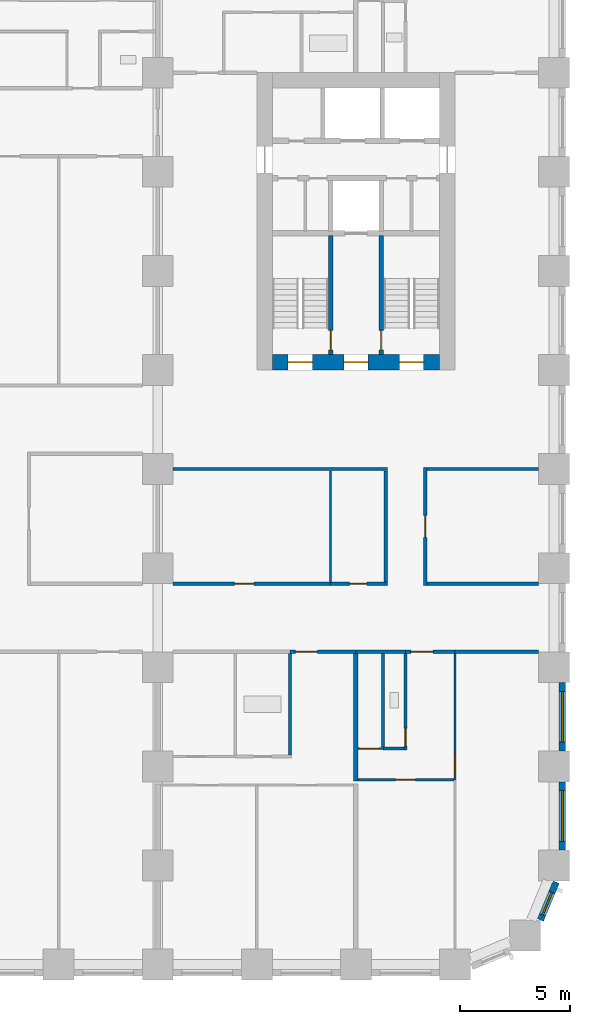
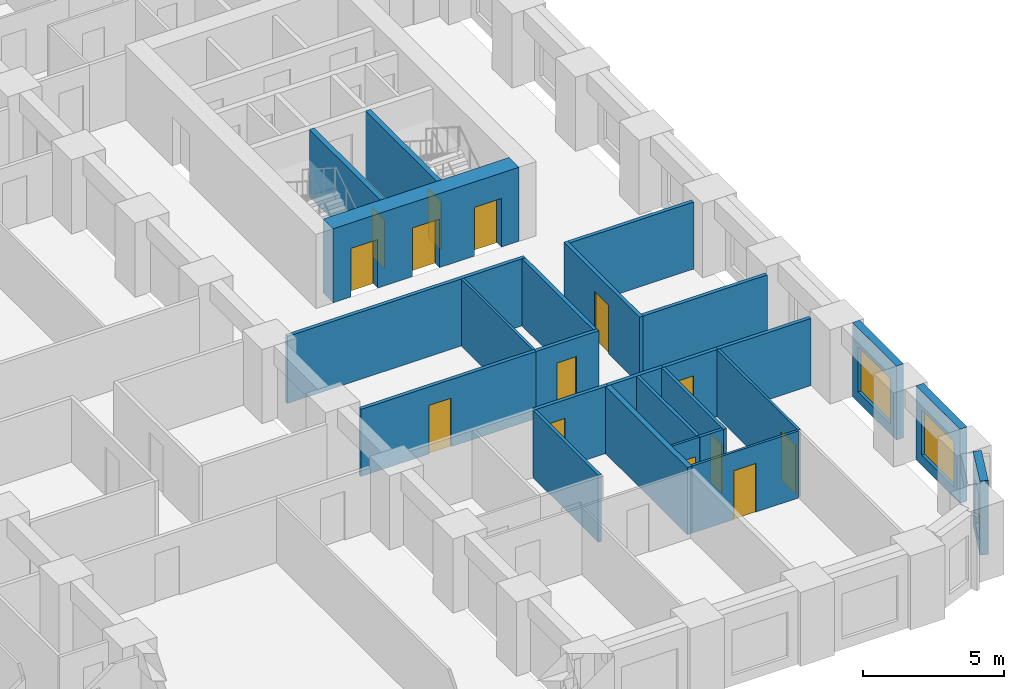
# One storey, part 5 of 13: 26 walls, 14 doors, 3 windows, 17 openings.
"""IFC4 building model written with IfcOpenShell, lengths in metres."""

from ifc_helpers import new_model, si_unit, direction, frame, frame_2d, origin, place, context, subcontext, project, spatial, rectangle, extrude, material, layer, layer_set, type_object, element, fill, save


model = new_model("IFC4")

# Units and contexts
model_context = context("Model", 3, precision=1e-05, world=origin(), true_north=direction((0.0, 1.0)))
body_context = subcontext(model_context, "Body", "Model", "MODEL_VIEW")
ifc_project = project(units=[si_unit("LENGTHUNIT", "METRE"), si_unit("AREAUNIT", "SQUARE_METRE"), si_unit("VOLUMEUNIT", "CUBIC_METRE"), si_unit("PLANEANGLEUNIT", "RADIAN"), si_unit("MASSUNIT", "GRAM", prefix="KILO")], contexts=[model_context])

# Site, building, storey
site_placement = place(None, origin())
site = spatial("IfcSite", under=ifc_project, at=site_placement, CompositionType="ELEMENT")
building_placement = place(site_placement, origin())
building = spatial("IfcBuilding", under=site, at=building_placement, Name="Girih Gate Residences", CompositionType="ELEMENT")
storey_placement = place(building_placement, frame((0.0, 0.0, 43.199951171875)))
storey = spatial("IfcBuildingStorey", under=building, at=storey_placement, Name="L10", CompositionType="ELEMENT", Elevation=43.199951171875)

# Wall, opening, door
ifc_material_1 = material(Name="Gypsum board on steel studs", Category="steel")
ifc_layer_1 = layer(ifc_material_1, 0.14990234375)
ifc_layer_set_1 = layer_set([ifc_layer_1], Name="Compartment wall 150 mm")
wall_type_1 = type_object("IfcWallType", Name="Compartment wall 150 mm", PredefinedType="PARTITIONING", material=ifc_layer_set_1)
wall_1_placement = place(storey_placement, frame((45.0, 14.199951171875, 0.0), z_axis=(0.0, 0.0, 1.0), x_axis=(-1.0, 0.0, 0.0)))
wall_1 = element("IfcWall", 1, at=wall_1_placement, inside=storey, type_object=wall_type_1, Name="L10 partition", PredefinedType="PARTITIONING", context=body_context, shape_type="SweptSolid", body=[
    extrude(rectangle(XDim=2.25, YDim=0.14990234375, at=frame_2d((1.125, 0.0))), origin(), (0.0, 0.0, 1.0), 2.900146484375),
])
opening_1_placement = place(wall_1_placement, frame((1.0, 0.0, 0.0)))
opening_1 = element("IfcOpeningElement", 2, at=opening_1_placement, cuts=wall_1, Name="Opening A10-022", PredefinedType="OPENING", context=body_context, shape_type="SweptSolid", body=[
    extrude(rectangle(XDim=1.0, YDim=2.10009765625, at=frame_2d((0.5, 1.050048828125))), frame((0.0, 0.0849609375, 0.0), z_axis=(0.0, -1.0, 0.0), x_axis=(1.0, 0.0, 0.0)), (0.0, 0.0, 1.0), 0.169921875),
])
ifc_material_2 = material(Name="Timber, fire-rated core", Category="wood")
door_type_1 = type_object("IfcDoorType", Name="Flat entrance door 1000x2100 FD30S", OperationType="NOTDEFINED", PredefinedType="DOOR", material=ifc_material_2)
door_1_placement = place(opening_1_placement, origin())
door_1 = element("IfcDoor", 3, at=door_1_placement, inside=storey, type_object=door_type_1, Name="Door A10-022", OperationType="SINGLE_SWING_RIGHT", OverallHeight=2.10009765625, OverallWidth=1.0, PredefinedType="DOOR", context=body_context, shape_type="SweptSolid", body=[
    extrude(rectangle(XDim=1.0, YDim=2.10009765625, at=frame_2d((0.5, 1.050048828125))), frame((0.0, 0.02490234375, 0.0), z_axis=(0.0, -1.0, 0.0), x_axis=(1.0, 0.0, 0.0)), (0.0, 0.0, 1.0), 0.050048828125),
])
fill(opening_1, door_1)

# Walls
wall_2_placement = place(storey_placement, frame((40.5, 14.199951171875, 0.0), z_axis=(0.0, 0.0, 1.0), x_axis=(1.0, 0.0, 0.0)))
element("IfcWall", 4, at=wall_2_placement, inside=storey, type_object=wall_type_1, Name="L10 partition", PredefinedType="PARTITIONING", context=body_context, shape_type="SweptSolid", body=[
    extrude(rectangle(XDim=2.25, YDim=0.14990234375, at=frame_2d((1.125, 0.0))), origin(), (0.0, 0.0, 1.0), 2.900146484375),
])
wall_3_placement = place(storey_placement, frame((45.0, 14.199951171875, 0.0), z_axis=(0.0, 0.0, 1.0), x_axis=(1.0, 0.0, 0.0)))
element("IfcWall", 5, at=wall_3_placement, inside=storey, type_object=wall_type_1, Name="L10 partition", PredefinedType="PARTITIONING", context=body_context, shape_type="SweptSolid", body=[
    extrude(rectangle(XDim=3.800048828125, YDim=0.14990234375, at=frame_2d((1.89990234375, 0.0))), origin(), (0.0, 0.0, 1.0), 2.900146484375),
])

# Wall, opening, door
wall_4_placement = place(storey_placement, frame((40.5, 14.199951171875, 0.0), z_axis=(0.0, 0.0, 1.0), x_axis=(-1.0, 0.0, 0.0)))
wall_4 = element("IfcWall", 6, at=wall_4_placement, inside=storey, type_object=wall_type_1, Name="L10 partition", PredefinedType="PARTITIONING", context=body_context, shape_type="SweptSolid", body=[
    extrude(rectangle(XDim=3.0, YDim=0.14990234375, at=frame_2d((1.5, 0.0))), origin(), (0.0, 0.0, 1.0), 2.900146484375),
])
opening_2_placement = place(wall_4_placement, frame((1.75, 0.0, 0.0)))
opening_2 = element("IfcOpeningElement", 7, at=opening_2_placement, cuts=wall_4, Name="Opening A10-027", PredefinedType="OPENING", context=body_context, shape_type="SweptSolid", body=[
    extrude(rectangle(XDim=1.0, YDim=2.10009765625, at=frame_2d((0.5, 1.050048828125))), frame((0.0, 0.0849609375, 0.0), z_axis=(0.0, -1.0, 0.0), x_axis=(1.0, 0.0, 0.0)), (0.0, 0.0, 1.0), 0.169921875),
])
door_2_placement = place(opening_2_placement, origin())
door_2 = element("IfcDoor", 8, at=door_2_placement, inside=storey, type_object=door_type_1, Name="Door A10-027", OperationType="SINGLE_SWING_RIGHT", OverallHeight=2.10009765625, OverallWidth=1.0, PredefinedType="DOOR", context=body_context, shape_type="SweptSolid", body=[
    extrude(rectangle(XDim=1.0, YDim=2.10009765625, at=frame_2d((0.5, 1.050048828125))), frame((0.0, 0.02490234375, 0.0), z_axis=(0.0, -1.0, 0.0), x_axis=(1.0, 0.0, 0.0)), (0.0, 0.0, 1.0), 0.050048828125),
])
fill(opening_2, door_2)

wall_5_placement = place(storey_placement, frame((32.199951171875, 17.300048828125, 0.0), z_axis=(0.0, 0.0, 1.0), x_axis=(1.0, 0.0, 0.0)))
wall_5 = element("IfcWall", 9, at=wall_5_placement, inside=storey, type_object=wall_type_1, Name="L10 partition", PredefinedType="PARTITIONING", context=body_context, shape_type="SweptSolid", body=[
    extrude(rectangle(XDim=7.150146484375, YDim=0.14990234375, at=frame_2d((3.5751953125, 0.0))), origin(), (0.0, 0.0, 1.0), 2.900146484375),
])
opening_3_placement = place(wall_5_placement, frame((2.77490234375, 0.0, 0.0)))
opening_3 = element("IfcOpeningElement", 10, at=opening_3_placement, cuts=wall_5, Name="Opening A10-053", PredefinedType="OPENING", context=body_context, shape_type="SweptSolid", body=[
    extrude(rectangle(XDim=0.89990234375, YDim=2.10009765625, at=frame_2d((0.449951171875, 1.050048828125))), frame((0.0, 0.0849609375, 0.0), z_axis=(0.0, -1.0, 0.0), x_axis=(1.0, 0.0, 0.0)), (0.0, 0.0, 1.0), 0.169921875),
])
ifc_material_3 = material(Name="Timber", Category="wood")
door_type_2 = type_object("IfcDoorType", Name="Service room door 900x2100", OperationType="NOTDEFINED", PredefinedType="DOOR", material=ifc_material_3)
door_3_placement = place(opening_3_placement, origin())
door_3 = element("IfcDoor", 11, at=door_3_placement, inside=storey, type_object=door_type_2, Name="Door A10-053", OperationType="SINGLE_SWING_LEFT", OverallHeight=2.10009765625, OverallWidth=0.89990234375, PredefinedType="DOOR", context=body_context, shape_type="SweptSolid", body=[
    extrude(rectangle(XDim=0.89990234375, YDim=2.10009765625, at=frame_2d((0.449951171875, 1.050048828125))), frame((0.0, 0.02490234375, 0.0), z_axis=(0.0, -1.0, 0.0), x_axis=(1.0, 0.0, 0.0)), (0.0, 0.0, 1.0), 0.050048828125),
])
fill(opening_3, door_3)

wall_6_placement = place(storey_placement, frame((39.35009765625, 17.300048828125, 0.0), z_axis=(0.0, 0.0, 1.0), x_axis=(1.0, 0.0, 0.0)))
wall_6 = element("IfcWall", 12, at=wall_6_placement, inside=storey, type_object=wall_type_1, Name="L10 partition", PredefinedType="PARTITIONING", context=body_context, shape_type="SweptSolid", body=[
    extrude(rectangle(XDim=2.574951171875, YDim=0.14990234375, at=frame_2d((1.28759765625, 0.0))), origin(), (0.0, 0.0, 1.0), 2.900146484375),
])
opening_4_placement = place(wall_6_placement, frame((0.85009765625, 0.0, 0.0)))
opening_4 = element("IfcOpeningElement", 13, at=opening_4_placement, cuts=wall_6, Name="Opening A10-055", PredefinedType="OPENING", context=body_context, shape_type="SweptSolid", body=[
    extrude(rectangle(XDim=0.800048828125, YDim=2.10009765625, at=frame_2d((0.39990234375, 1.050048828125))), frame((0.0, 0.0849609375, 0.0), z_axis=(0.0, -1.0, 0.0), x_axis=(1.0, 0.0, 0.0)), (0.0, 0.0, 1.0), 0.169921875),
])
door_type_3 = type_object("IfcDoorType", Name="Bathroom door 800x2100", OperationType="NOTDEFINED", PredefinedType="DOOR", material=ifc_material_3)
door_4_placement = place(opening_4_placement, origin())
door_4 = element("IfcDoor", 14, at=door_4_placement, inside=storey, type_object=door_type_3, Name="Door A10-055", OperationType="SINGLE_SWING_LEFT", OverallHeight=2.10009765625, OverallWidth=0.800048828125, PredefinedType="DOOR", context=body_context, shape_type="SweptSolid", body=[
    extrude(rectangle(XDim=0.800048828125, YDim=2.10009765625, at=frame_2d((0.39990234375, 1.050048828125))), frame((0.0, 0.02490234375, 0.0), z_axis=(0.0, -1.0, 0.0), x_axis=(1.0, 0.0, 0.0)), (0.0, 0.0, 1.0), 0.050048828125),
])
fill(opening_4, door_4)

# Walls
wall_7_placement = place(storey_placement, frame((43.72509765625, 17.300048828125, 0.0), z_axis=(0.0, 0.0, 1.0), x_axis=(1.0, 0.0, 0.0)))
element("IfcWall", 15, at=wall_7_placement, inside=storey, type_object=wall_type_1, Name="L10 partition", PredefinedType="PARTITIONING", context=body_context, shape_type="SweptSolid", body=[
    extrude(rectangle(XDim=5.074951171875, YDim=0.14990234375, at=frame_2d((2.53759765625, 0.0))), origin(), (0.0, 0.0, 1.0), 2.900146484375),
])
wall_8_placement = place(storey_placement, frame((32.199951171875, 22.5, 0.0), z_axis=(0.0, 0.0, 1.0), x_axis=(1.0, 0.0, 0.0)))
element("IfcWall", 16, at=wall_8_placement, inside=storey, type_object=wall_type_1, Name="L10 partition", PredefinedType="PARTITIONING", context=body_context, shape_type="SweptSolid", body=[
    extrude(rectangle(XDim=9.72509765625, YDim=0.14990234375, at=frame_2d((4.862548828125, 0.0))), origin(), (0.0, 0.0, 1.0), 2.900146484375),
])
wall_9_placement = place(storey_placement, frame((43.72509765625, 22.5, 0.0), z_axis=(0.0, 0.0, 1.0), x_axis=(1.0, 0.0, 0.0)))
element("IfcWall", 17, at=wall_9_placement, inside=storey, type_object=wall_type_1, Name="L10 partition", PredefinedType="PARTITIONING", context=body_context, shape_type="SweptSolid", body=[
    extrude(rectangle(XDim=5.074951171875, YDim=0.14990234375, at=frame_2d((2.53759765625, 0.0))), origin(), (0.0, 0.0, 1.0), 2.900146484375),
])
wall_10_placement = place(storey_placement, frame((41.85009765625, 17.375, 0.0), z_axis=(0.0, 0.0, 1.0), x_axis=(0.0, 1.0, 0.0)))
element("IfcWall", 18, at=wall_10_placement, inside=storey, type_object=wall_type_1, Name="L10 partition", PredefinedType="PARTITIONING", context=body_context, shape_type="SweptSolid", body=[
    extrude(rectangle(XDim=5.050048828125, YDim=0.14990234375, at=frame_2d((2.52490234375, 0.0))), origin(), (0.0, 0.0, 1.0), 2.900146484375),
])

# Wall, opening, door
wall_11_placement = place(storey_placement, frame((43.64990234375, 22.574951171875, 0.0), z_axis=(0.0, 0.0, 1.0), x_axis=(0.0, -1.0, 0.0)))
wall_11 = element("IfcWall", 19, at=wall_11_placement, inside=storey, type_object=wall_type_1, Name="L10 partition", PredefinedType="PARTITIONING", context=body_context, shape_type="SweptSolid", body=[
    extrude(rectangle(XDim=5.349853515625, YDim=0.14990234375, at=frame_2d((2.6748046875, 0.0))), origin(), (0.0, 0.0, 1.0), 2.900146484375),
])
opening_5_placement = place(wall_11_placement, frame((2.175048828125, 0.0, 0.0)))
opening_5 = element("IfcOpeningElement", 20, at=opening_5_placement, cuts=wall_11, Name="Opening A10-057", PredefinedType="OPENING", context=body_context, shape_type="SweptSolid", body=[
    extrude(rectangle(XDim=1.0, YDim=2.10009765625, at=frame_2d((0.5, 1.050048828125))), frame((0.0, 0.0849609375, 0.0), z_axis=(0.0, -1.0, 0.0), x_axis=(1.0, 0.0, 0.0)), (0.0, 0.0, 1.0), 0.169921875),
])
door_type_4 = type_object("IfcDoorType", Name="Amenity room door 1000x2100 FD30S", OperationType="NOTDEFINED", PredefinedType="DOOR", material=ifc_material_2)
door_5_placement = place(opening_5_placement, origin())
door_5 = element("IfcDoor", 21, at=door_5_placement, inside=storey, type_object=door_type_4, Name="Door A10-057", OperationType="SINGLE_SWING_RIGHT", OverallHeight=2.10009765625, OverallWidth=1.0, PredefinedType="DOOR", context=body_context, shape_type="SweptSolid", body=[
    extrude(rectangle(XDim=1.0, YDim=2.10009765625, at=frame_2d((0.5, 1.050048828125))), frame((0.0, 0.02490234375, 0.0), z_axis=(0.0, -1.0, 0.0), x_axis=(1.0, 0.0, 0.0)), (0.0, 0.0, 1.0), 0.050048828125),
])
fill(opening_5, door_5)

# Wall, openings, doors
ifc_material_4 = material(Name="Concrete C60/75", Category="concrete")
ifc_layer_2 = layer(ifc_material_4, 0.699951171875)
ifc_layer_set_2 = layer_set([ifc_layer_2], Name="Core wall RC 700 Concrete C60/75")
wall_type_2 = type_object("IfcWallType", Name="Core wall RC 700 Concrete C60/75", PredefinedType="SOLIDWALL", material=ifc_layer_set_2)
wall_12_placement = place(storey_placement, frame((36.699951171875, 27.35009765625, 0.0), z_axis=(0.0, 0.0, 1.0), x_axis=(1.0, 0.0, 0.0)))
wall_12 = element("IfcWall", 22, at=wall_12_placement, inside=storey, type_object=wall_type_2, Name="Core wall E-S L10", PredefinedType="SOLIDWALL", context=body_context, shape_type="SweptSolid", body=[
    extrude(rectangle(XDim=7.60009765625, YDim=0.699951171875, at=frame_2d((3.800048828125, 0.0))), origin(), (0.0, 0.0, 1.0), 3.199951171875),
])
opening_6_placement = place(wall_12_placement, frame((5.77490234375, 0.0, 0.0)))
opening_6 = element("IfcOpeningElement", 23, at=opening_6_placement, cuts=wall_12, Name="Opening D-L10-E-011", PredefinedType="OPENING", context=body_context, shape_type="SweptSolid", body=[
    extrude(rectangle(XDim=1.10009765625, YDim=2.10009765625, at=frame_2d((0.550048828125, 1.050048828125))), frame((0.0, 0.35986328125, 0.0), z_axis=(0.0, -1.0, 0.0), x_axis=(1.0, 0.0, 0.0)), (0.0, 0.0, 1.0), 0.719970703125),
])
opening_7_placement = place(wall_12_placement, frame((3.25, 0.0, 0.0)))
opening_7 = element("IfcOpeningElement", 24, at=opening_7_placement, cuts=wall_12, Name="Opening D-L10-E-012", PredefinedType="OPENING", context=body_context, shape_type="SweptSolid", body=[
    extrude(rectangle(XDim=1.10009765625, YDim=2.10009765625, at=frame_2d((0.550048828125, 1.050048828125))), frame((0.0, 0.35986328125, 0.0), z_axis=(0.0, -1.0, 0.0), x_axis=(1.0, 0.0, 0.0)), (0.0, 0.0, 1.0), 0.719970703125),
])
opening_8_placement = place(wall_12_placement, frame((0.72509765625, 0.0, 0.0)))
opening_8 = element("IfcOpeningElement", 25, at=opening_8_placement, cuts=wall_12, Name="Opening D-L10-E-013", PredefinedType="OPENING", context=body_context, shape_type="SweptSolid", body=[
    extrude(rectangle(XDim=1.10009765625, YDim=2.10009765625, at=frame_2d((0.550048828125, 1.050048828125))), frame((0.0, 0.35986328125, 0.0), z_axis=(0.0, -1.0, 0.0), x_axis=(1.0, 0.0, 0.0)), (0.0, 0.0, 1.0), 0.719970703125),
])
ifc_material_5 = material(Name="Painted steel, fire-resisting", Category="steel")
door_type_5 = type_object("IfcDoorType", Name="Fire door 1100x2100", OperationType="SINGLE_SWING_LEFT", PredefinedType="DOOR", material=ifc_material_5)
door_6_placement = place(opening_6_placement, origin())
door_6 = element("IfcDoor", 26, at=door_6_placement, inside=storey, type_object=door_type_5, Name="L10 E core door sta-out", OperationType="SINGLE_SWING_LEFT", OverallHeight=2.10009765625, OverallWidth=1.10009765625, PredefinedType="DOOR", context=body_context, shape_type="SweptSolid", body=[
    extrude(rectangle(XDim=1.10009765625, YDim=2.10009765625, at=frame_2d((0.550048828125, 1.050048828125))), frame((0.0, 0.02490234375, 0.0), z_axis=(0.0, -1.0, 0.0), x_axis=(1.0, 0.0, 0.0)), (0.0, 0.0, 1.0), 0.050048828125),
])
fill(opening_6, door_6)
door_7_placement = place(opening_7_placement, origin())
door_7 = element("IfcDoor", 27, at=door_7_placement, inside=storey, type_object=door_type_5, Name="L10 E core door ffl-out", OperationType="SINGLE_SWING_LEFT", OverallHeight=2.10009765625, OverallWidth=1.10009765625, PredefinedType="DOOR", context=body_context, shape_type="SweptSolid", body=[
    extrude(rectangle(XDim=1.10009765625, YDim=2.10009765625, at=frame_2d((0.550048828125, 1.050048828125))), frame((0.0, 0.02490234375, 0.0), z_axis=(0.0, -1.0, 0.0), x_axis=(1.0, 0.0, 0.0)), (0.0, 0.0, 1.0), 0.050048828125),
])
fill(opening_7, door_7)
door_8_placement = place(opening_8_placement, origin())
door_8 = element("IfcDoor", 28, at=door_8_placement, inside=storey, type_object=door_type_5, Name="L10 E core door stb-out", OperationType="SINGLE_SWING_LEFT", OverallHeight=2.10009765625, OverallWidth=1.10009765625, PredefinedType="DOOR", context=body_context, shape_type="SweptSolid", body=[
    extrude(rectangle(XDim=1.10009765625, YDim=2.10009765625, at=frame_2d((0.550048828125, 1.050048828125))), frame((0.0, 0.02490234375, 0.0), z_axis=(0.0, -1.0, 0.0), x_axis=(1.0, 0.0, 0.0)), (0.0, 0.0, 1.0), 0.050048828125),
])
fill(opening_8, door_8)

# Wall, opening, door
ifc_layer_3 = layer(ifc_material_1, 0.10009765625)
ifc_layer_set_3 = layer_set([ifc_layer_3], Name="Partition 100 mm")
wall_type_3 = type_object("IfcWallType", Name="Partition 100 mm", PredefinedType="PARTITIONING", material=ifc_layer_set_3)
wall_13_placement = place(storey_placement, frame((44.949951171875, 8.389892578125, 0.0), z_axis=(0.0, 0.0, 1.0), x_axis=(-1.0, 0.0, 0.0)))
wall_13 = element("IfcWall", 29, at=wall_13_placement, inside=storey, type_object=wall_type_3, Name="L10 partition", PredefinedType="PARTITIONING", context=body_context, shape_type="SweptSolid", body=[
    extrude(rectangle(XDim=4.349853515625, YDim=0.10009765625, at=frame_2d((2.1748046875, 0.0))), origin(), (0.0, 0.0, 1.0), 2.900146484375),
])
opening_9_placement = place(wall_13_placement, frame((1.75, 0.0, 0.0)))
opening_9 = element("IfcOpeningElement", 30, at=opening_9_placement, cuts=wall_13, Name="Opening A10-019", PredefinedType="OPENING", context=body_context, shape_type="SweptSolid", body=[
    extrude(rectangle(XDim=0.89990234375, YDim=2.10009765625, at=frame_2d((0.449951171875, 1.050048828125))), frame((0.0, 0.06005859375, 0.0), z_axis=(0.0, -1.0, 0.0), x_axis=(1.0, 0.0, 0.0)), (0.0, 0.0, 1.0), 0.1201171875),
])
door_type_6 = type_object("IfcDoorType", Name="Bedroom door 900x2100", OperationType="NOTDEFINED", PredefinedType="DOOR", material=ifc_material_3)
door_9_placement = place(opening_9_placement, origin())
door_9 = element("IfcDoor", 31, at=door_9_placement, inside=storey, type_object=door_type_6, Name="Door A10-019", OperationType="SINGLE_SWING_RIGHT", OverallHeight=2.10009765625, OverallWidth=0.89990234375, PredefinedType="DOOR", context=body_context, shape_type="SweptSolid", body=[
    extrude(rectangle(XDim=0.89990234375, YDim=2.10009765625, at=frame_2d((0.449951171875, 1.050048828125))), frame((0.0, 0.02490234375, 0.0), z_axis=(0.0, -1.0, 0.0), x_axis=(1.0, 0.0, 0.0)), (0.0, 0.0, 1.0), 0.050048828125),
])
fill(opening_9, door_9)

wall_14_placement = place(storey_placement, frame((40.60009765625, 9.81005859375, 0.0), z_axis=(0.0, 0.0, 1.0), x_axis=(1.0, 0.0, 0.0)))
wall_14 = element("IfcWall", 32, at=wall_14_placement, inside=storey, type_object=wall_type_3, Name="L10 partition", PredefinedType="PARTITIONING", context=body_context, shape_type="SweptSolid", body=[
    extrude(rectangle(XDim=1.127197265625, YDim=0.10009765625, at=frame_2d((0.5634765625, 0.0))), origin(), (0.0, 0.0, 1.0), 2.900146484375),
])
opening_10_placement = place(wall_14_placement, frame((0.063720703125, 0.0, 0.0)))
opening_10 = element("IfcOpeningElement", 33, at=opening_10_placement, cuts=wall_14, Name="Opening A10-020", PredefinedType="OPENING", context=body_context, shape_type="SweptSolid", body=[
    extrude(rectangle(XDim=0.89990234375, YDim=2.10009765625, at=frame_2d((0.449951171875, 1.050048828125))), frame((0.0, 0.06005859375, 0.0), z_axis=(0.0, -1.0, 0.0), x_axis=(1.0, 0.0, 0.0)), (0.0, 0.0, 1.0), 0.1201171875),
])
door_type_7 = type_object("IfcDoorType", Name="Kitchen door 900x2100", OperationType="NOTDEFINED", PredefinedType="DOOR", material=ifc_material_3)
door_10_placement = place(opening_10_placement, origin())
door_10 = element("IfcDoor", 34, at=door_10_placement, inside=storey, type_object=door_type_7, Name="Door A10-020", OperationType="SINGLE_SWING_LEFT", OverallHeight=2.10009765625, OverallWidth=0.89990234375, PredefinedType="DOOR", context=body_context, shape_type="SweptSolid", body=[
    extrude(rectangle(XDim=0.89990234375, YDim=2.10009765625, at=frame_2d((0.449951171875, 1.050048828125))), frame((0.0, 0.02490234375, 0.0), z_axis=(0.0, -1.0, 0.0), x_axis=(1.0, 0.0, 0.0)), (0.0, 0.0, 1.0), 0.050048828125),
])
fill(opening_10, door_10)

wall_15_placement = place(storey_placement, frame((45.0, 14.125, 0.0), z_axis=(0.0, 0.0, 1.0), x_axis=(0.0, -1.0, 0.0)))
wall_15 = element("IfcWall", 35, at=wall_15_placement, inside=storey, type_object=wall_type_3, Name="L10 partition", PredefinedType="PARTITIONING", context=body_context, shape_type="SweptSolid", body=[
    extrude(rectangle(XDim=5.735107421875, YDim=0.10009765625, at=frame_2d((2.86767578125, 0.0))), origin(), (0.0, 0.0, 1.0), 2.900146484375),
])
opening_11_placement = place(wall_15_placement, frame((4.52490234375, 0.0, 0.0)))
opening_11 = element("IfcOpeningElement", 36, at=opening_11_placement, cuts=wall_15, Name="Opening A10-021", PredefinedType="OPENING", context=body_context, shape_type="SweptSolid", body=[
    extrude(rectangle(XDim=1.0, YDim=2.10009765625, at=frame_2d((0.5, 1.050048828125))), frame((0.0, 0.06005859375, 0.0), z_axis=(0.0, -1.0, 0.0), x_axis=(1.0, 0.0, 0.0)), (0.0, 0.0, 1.0), 0.1201171875),
])
door_type_8 = type_object("IfcDoorType", Name="Living room door 1000x2100", OperationType="NOTDEFINED", PredefinedType="DOOR", material=ifc_material_3)
door_11_placement = place(opening_11_placement, origin())
door_11 = element("IfcDoor", 37, at=door_11_placement, inside=storey, type_object=door_type_8, Name="Door A10-021", OperationType="SINGLE_SWING_RIGHT", OverallHeight=2.10009765625, OverallWidth=1.0, PredefinedType="DOOR", context=body_context, shape_type="SweptSolid", body=[
    extrude(rectangle(XDim=1.0, YDim=2.10009765625, at=frame_2d((0.5, 1.050048828125))), frame((0.0, 0.02490234375, 0.0), z_axis=(0.0, -1.0, 0.0), x_axis=(1.0, 0.0, 0.0)), (0.0, 0.0, 1.0), 0.050048828125),
])
fill(opening_11, door_11)

# Walls
wall_16_placement = place(storey_placement, frame((39.35009765625, 17.375, 0.0), z_axis=(0.0, 0.0, 1.0), x_axis=(0.0, 1.0, 0.0)))
element("IfcWall", 38, at=wall_16_placement, inside=storey, type_object=wall_type_3, Name="L10 partition", PredefinedType="PARTITIONING", context=body_context, shape_type="SweptSolid", body=[
    extrude(rectangle(XDim=5.050048828125, YDim=0.10009765625, at=frame_2d((2.52490234375, 0.0))), origin(), (0.0, 0.0, 1.0), 2.900146484375),
])
ifc_layer_4 = layer(ifc_material_1, 0.199951171875)
ifc_layer_set_4 = layer_set([ifc_layer_4], Name="Party wall 200 mm")
wall_type_4 = type_object("IfcWallType", Name="Party wall 200 mm", PredefinedType="PARTITIONING", material=ifc_layer_set_4)
wall_17_placement = place(storey_placement, frame((40.5, 8.340087890625, 0.0), z_axis=(0.0, 0.0, 1.0), x_axis=(0.0, 1.0, 0.0)))
element("IfcWall", 39, at=wall_17_placement, inside=storey, type_object=wall_type_4, Name="L10 partition", PredefinedType="PARTITIONING", context=body_context, shape_type="SweptSolid", body=[
    extrude(rectangle(XDim=5.784912109375, YDim=0.199951171875, at=frame_2d((2.892578125, 0.0))), origin(), (0.0, 0.0, 1.0), 2.900146484375),
])

# Wall, opening, window
ifc_material_6 = material(Name="Precast concrete C50/60", Category="concrete")
ifc_layer_5 = layer(ifc_material_6, 0.080078125, Name="Outer leaf")
ifc_material_7 = material(Name="Rigid PIR insulation")
ifc_layer_6 = layer(ifc_material_7, 0.14990234375, Name="Insulation")
ifc_material_8 = material(Name="Precast concrete C40/50", Category="concrete")
ifc_layer_7 = layer(ifc_material_8, 0.070068359375, Name="Inner leaf")
ifc_layer_set_5 = layer_set([ifc_layer_5, ifc_layer_6, ifc_layer_7], Name="Precast concrete C50/60 external wall 300")
wall_type_5 = type_object("IfcWallType", Name="Precast concrete C50/60 external wall 300", PredefinedType="SOLIDWALL", material=ifc_layer_set_5)
wall_18_placement = place(storey_placement, frame((49.59228515625, 3.74267578125, 0.0), z_axis=(0.0, 0.0, 1.0), x_axis=(-0.382737135771, -0.923857286003, 0.0)))
wall_18 = element("IfcWall", 40, at=wall_18_placement, inside=storey, type_object=wall_type_5, Name="External wall SE0482_0013.0", PredefinedType="SOLIDWALL", context=body_context, shape_type="SweptSolid", body=[
    extrude(rectangle(XDim=1.865234375, YDim=0.300048828125, at=frame_2d((0.9326171875, 0.0))), origin(), (0.0, 0.0, 1.0), 3.199951171875),
])
opening_12_placement = place(wall_18_placement, frame((0.507568359375, 0.0, 0.449951171875)))
opening_12 = element("IfcOpeningElement", 41, at=opening_12_placement, cuts=wall_18, Name="Opening W-2C", PredefinedType="OPENING", context=body_context, shape_type="SweptSolid", body=[
    extrude(rectangle(XDim=1.10009765625, YDim=1.949951171875, at=frame_2d((0.550048828125, 0.97509765625))), frame((0.0, 0.159912109375, 0.0), z_axis=(0.0, -1.0, 0.0), x_axis=(1.0, 0.0, 0.0)), (0.0, 0.0, 1.0), 0.320068359375),
])
ifc_material_9 = material(Name="Double glazing in aluminium frame", Category="aluminium")
window_type_1 = type_object("IfcWindowType", Name="Window W-2C 1100x1950", PartitioningType="SINGLE_PANEL", PredefinedType="WINDOW", material=ifc_material_9)
window_1_placement = place(opening_12_placement, origin())
window_1 = element("IfcWindow", 42, at=window_1_placement, inside=storey, type_object=window_type_1, Name="Window W-2C SE0482_0013.0", OverallHeight=1.949951171875, OverallWidth=1.10009765625, PartitioningType="SINGLE_PANEL", PredefinedType="WINDOW", context=body_context, shape_type="SweptSolid", body=[
    extrude(rectangle(XDim=1.10009765625, YDim=1.949951171875, at=frame_2d((0.550048828125, 0.97509765625))), frame((0.0, 0.030029296875, 0.0), z_axis=(0.0, -1.0, 0.0), x_axis=(1.0, 0.0, 0.0)), (0.0, 0.0, 1.0), 0.06005859375),
])
fill(opening_12, window_1)

wall_19_placement = place(storey_placement, frame((49.875, 8.300048828125, 0.0), z_axis=(0.0, 0.0, 1.0), x_axis=(0.0, -1.0, 0.0)))
wall_19 = element("IfcWall", 43, at=wall_19_placement, inside=storey, type_object=wall_type_5, Name="External wall E0495_0045.0", PredefinedType="SOLIDWALL", context=body_context, shape_type="SweptSolid", body=[
    extrude(rectangle(XDim=3.10009765625, YDim=0.300048828125, at=frame_2d((1.550048828125, 0.0))), origin(), (0.0, 0.0, 1.0), 3.199951171875),
])
opening_13_placement = place(wall_19_placement, frame((0.39990234375, 0.0, 0.449951171875)))
opening_13 = element("IfcOpeningElement", 44, at=opening_13_placement, cuts=wall_19, Name="Opening W-1", PredefinedType="OPENING", context=body_context, shape_type="SweptSolid", body=[
    extrude(rectangle(XDim=2.300048828125, YDim=1.949951171875, at=frame_2d((1.14990234375, 0.97509765625))), frame((0.0, 0.159912109375, 0.0), z_axis=(0.0, -1.0, 0.0), x_axis=(1.0, 0.0, 0.0)), (0.0, 0.0, 1.0), 0.320068359375),
])
window_type_2 = type_object("IfcWindowType", Name="Window W-1 2300x1950", PartitioningType="SINGLE_PANEL", PredefinedType="WINDOW", material=ifc_material_9)
window_2_placement = place(opening_13_placement, origin())
window_2 = element("IfcWindow", 45, at=window_2_placement, inside=storey, type_object=window_type_2, Name="Window W-1 E0495_0045.0", OverallHeight=1.949951171875, OverallWidth=2.300048828125, PartitioningType="SINGLE_PANEL", PredefinedType="WINDOW", context=body_context, shape_type="SweptSolid", body=[
    extrude(rectangle(XDim=2.300048828125, YDim=1.949951171875, at=frame_2d((1.14990234375, 0.97509765625))), frame((0.0, 0.030029296875, 0.0), z_axis=(0.0, -1.0, 0.0), x_axis=(1.0, 0.0, 0.0)), (0.0, 0.0, 1.0), 0.06005859375),
])
fill(opening_13, window_2)

wall_20_placement = place(storey_placement, frame((49.875, 12.800048828125, 0.0), z_axis=(0.0, 0.0, 1.0), x_axis=(0.0, -1.0, 0.0)))
wall_20 = element("IfcWall", 46, at=wall_20_placement, inside=storey, type_object=wall_type_5, Name="External wall E0495_0045.1", PredefinedType="SOLIDWALL", context=body_context, shape_type="SweptSolid", body=[
    extrude(rectangle(XDim=3.10009765625, YDim=0.300048828125, at=frame_2d((1.550048828125, 0.0))), origin(), (0.0, 0.0, 1.0), 3.199951171875),
])
opening_14_placement = place(wall_20_placement, frame((0.39990234375, 0.0, 0.449951171875)))
opening_14 = element("IfcOpeningElement", 47, at=opening_14_placement, cuts=wall_20, Name="Opening W-1", PredefinedType="OPENING", context=body_context, shape_type="SweptSolid", body=[
    extrude(rectangle(XDim=2.300048828125, YDim=1.949951171875, at=frame_2d((1.14990234375, 0.97509765625))), frame((0.0, 0.159912109375, 0.0), z_axis=(0.0, -1.0, 0.0), x_axis=(1.0, 0.0, 0.0)), (0.0, 0.0, 1.0), 0.320068359375),
])
window_3_placement = place(opening_14_placement, origin())
window_3 = element("IfcWindow", 48, at=window_3_placement, inside=storey, type_object=window_type_2, Name="Window W-1 E0495_0045.1", OverallHeight=1.949951171875, OverallWidth=2.300048828125, PartitioningType="SINGLE_PANEL", PredefinedType="WINDOW", context=body_context, shape_type="SweptSolid", body=[
    extrude(rectangle(XDim=2.300048828125, YDim=1.949951171875, at=frame_2d((1.14990234375, 0.97509765625))), frame((0.0, 0.030029296875, 0.0), z_axis=(0.0, -1.0, 0.0), x_axis=(1.0, 0.0, 0.0)), (0.0, 0.0, 1.0), 0.06005859375),
])
fill(opening_14, window_3)

# Wall, opening, door
ifc_material_10 = material(Name="Concrete C40/50", Category="concrete")
ifc_layer_8 = layer(ifc_material_10, 0.199951171875)
ifc_layer_set_6 = layer_set([ifc_layer_8], Name="Shaft wall 200")
wall_type_6 = type_object("IfcWallType", Name="Shaft wall 200", PredefinedType="SOLIDWALL", material=ifc_layer_set_6)
wall_21_placement = place(storey_placement, frame((41.64990234375, 27.699951171875, 0.0), z_axis=(0.0, 0.0, 1.0), x_axis=(0.0, 1.0, 0.0)))
wall_21 = element("IfcWall", 49, at=wall_21_placement, inside=storey, type_object=wall_type_6, Name="L10 E core wall V1a", PredefinedType="SOLIDWALL", context=body_context, shape_type="SweptSolid", body=[
    extrude(rectangle(XDim=5.400146484375, YDim=0.199951171875, at=frame_2d((2.7001953125, 0.0))), origin(), (0.0, 0.0, 1.0), 2.900146484375),
])
opening_15_placement = place(wall_21_placement, frame((0.199951171875, 0.0, 0.0)))
opening_15 = element("IfcOpeningElement", 50, at=opening_15_placement, cuts=wall_21, Name="Opening D-L10-E-001", PredefinedType="OPENING", context=body_context, shape_type="SweptSolid", body=[
    extrude(rectangle(XDim=0.89990234375, YDim=2.10009765625, at=frame_2d((0.449951171875, 1.050048828125))), frame((0.0, 0.10986328125, 0.0), z_axis=(0.0, -1.0, 0.0), x_axis=(1.0, 0.0, 0.0)), (0.0, 0.0, 1.0), 0.219970703125),
])
door_type_9 = type_object("IfcDoorType", Name="Fire door 900x2100", OperationType="SINGLE_SWING_LEFT", PredefinedType="DOOR", material=ifc_material_5)
door_12_placement = place(opening_15_placement, origin())
door_12 = element("IfcDoor", 51, at=door_12_placement, inside=storey, type_object=door_type_9, Name="L10 E door stair 1 to firefighting lobby", OperationType="SINGLE_SWING_LEFT", OverallHeight=2.10009765625, OverallWidth=0.89990234375, PredefinedType="DOOR", context=body_context, shape_type="SweptSolid", body=[
    extrude(rectangle(XDim=0.89990234375, YDim=2.10009765625, at=frame_2d((0.449951171875, 1.050048828125))), frame((0.0, 0.02490234375, 0.0), z_axis=(0.0, -1.0, 0.0), x_axis=(1.0, 0.0, 0.0)), (0.0, 0.0, 1.0), 0.050048828125),
])
fill(opening_15, door_12)

wall_22_placement = place(storey_placement, frame((39.35009765625, 27.699951171875, 0.0), z_axis=(0.0, 0.0, 1.0), x_axis=(0.0, 1.0, 0.0)))
wall_22 = element("IfcWall", 52, at=wall_22_placement, inside=storey, type_object=wall_type_6, Name="L10 E core wall V2a", PredefinedType="SOLIDWALL", context=body_context, shape_type="SweptSolid", body=[
    extrude(rectangle(XDim=5.400146484375, YDim=0.199951171875, at=frame_2d((2.7001953125, 0.0))), origin(), (0.0, 0.0, 1.0), 2.900146484375),
])
opening_16_placement = place(wall_22_placement, frame((0.199951171875, 0.0, 0.0)))
opening_16 = element("IfcOpeningElement", 53, at=opening_16_placement, cuts=wall_22, Name="Opening D-L10-E-002", PredefinedType="OPENING", context=body_context, shape_type="SweptSolid", body=[
    extrude(rectangle(XDim=0.89990234375, YDim=2.10009765625, at=frame_2d((0.449951171875, 1.050048828125))), frame((0.0, 0.10986328125, 0.0), z_axis=(0.0, -1.0, 0.0), x_axis=(1.0, 0.0, 0.0)), (0.0, 0.0, 1.0), 0.219970703125),
])
door_13_placement = place(opening_16_placement, origin())
door_13 = element("IfcDoor", 54, at=door_13_placement, inside=storey, type_object=door_type_9, Name="L10 E door stair 2 to firefighting lobby", OperationType="SINGLE_SWING_LEFT", OverallHeight=2.10009765625, OverallWidth=0.89990234375, PredefinedType="DOOR", context=body_context, shape_type="SweptSolid", body=[
    extrude(rectangle(XDim=0.89990234375, YDim=2.10009765625, at=frame_2d((0.449951171875, 1.050048828125))), frame((0.0, 0.02490234375, 0.0), z_axis=(0.0, -1.0, 0.0), x_axis=(1.0, 0.0, 0.0)), (0.0, 0.0, 1.0), 0.050048828125),
])
fill(opening_16, door_13)

ifc_layer_9 = layer(ifc_material_1, 0.125)
ifc_layer_set_7 = layer_set([ifc_layer_9], Name="Wet room wall 125 mm")
wall_type_7 = type_object("IfcWallType", Name="Wet room wall 125 mm", PredefinedType="PARTITIONING", material=ifc_layer_set_7)
wall_23_placement = place(storey_placement, frame((42.75, 9.74755859375, 0.0), z_axis=(0.0, 0.0, 1.0), x_axis=(0.0, 1.0, 0.0)))
wall_23 = element("IfcWall", 55, at=wall_23_placement, inside=storey, type_object=wall_type_7, Name="L10 partition", PredefinedType="PARTITIONING", context=body_context, shape_type="SweptSolid", body=[
    extrude(rectangle(XDim=4.37744140625, YDim=0.125, at=frame_2d((2.188720703125, 0.0))), origin(), (0.0, 0.0, 1.0), 2.900146484375),
])
opening_17_placement = place(wall_23_placement, frame((0.1826171875, 0.0, 0.0)))
opening_17 = element("IfcOpeningElement", 56, at=opening_17_placement, cuts=wall_23, Name="Opening A10-018", PredefinedType="OPENING", context=body_context, shape_type="SweptSolid", body=[
    extrude(rectangle(XDim=0.800048828125, YDim=2.10009765625, at=frame_2d((0.39990234375, 1.050048828125))), frame((0.0, 0.072509765625, 0.0), z_axis=(0.0, -1.0, 0.0), x_axis=(1.0, 0.0, 0.0)), (0.0, 0.0, 1.0), 0.14501953125),
])
door_14_placement = place(opening_17_placement, origin())
door_14 = element("IfcDoor", 57, at=door_14_placement, inside=storey, type_object=door_type_3, Name="Door A10-018", OperationType="SINGLE_SWING_LEFT", OverallHeight=2.10009765625, OverallWidth=0.800048828125, PredefinedType="DOOR", context=body_context, shape_type="SweptSolid", body=[
    extrude(rectangle(XDim=0.800048828125, YDim=2.10009765625, at=frame_2d((0.39990234375, 1.050048828125))), frame((0.0, 0.02490234375, 0.0), z_axis=(0.0, -1.0, 0.0), x_axis=(1.0, 0.0, 0.0)), (0.0, 0.0, 1.0), 0.050048828125),
])
fill(opening_17, door_14)

# Walls
wall_24_placement = place(storey_placement, frame((41.727294921875, 9.81005859375, 0.0), z_axis=(0.0, 0.0, 1.0), x_axis=(1.0, 0.0, 0.0)))
element("IfcWall", 58, at=wall_24_placement, inside=storey, type_object=wall_type_7, Name="L10 partition", PredefinedType="PARTITIONING", context=body_context, shape_type="SweptSolid", body=[
    extrude(rectangle(XDim=0.960205078125, YDim=0.125, at=frame_2d((0.47998046875, 0.0))), origin(), (0.0, 0.0, 1.0), 2.900146484375),
])
wall_25_placement = place(storey_placement, frame((41.72705078125, 9.87255859375, 0.0), z_axis=(0.0, 0.0, 1.0), x_axis=(0.0, 1.0, 0.0)))
element("IfcWall", 59, at=wall_25_placement, inside=storey, type_object=wall_type_7, Name="L10 partition", PredefinedType="PARTITIONING", context=body_context, shape_type="SweptSolid", body=[
    extrude(rectangle(XDim=4.25244140625, YDim=0.125, at=frame_2d((2.126220703125, 0.0))), origin(), (0.0, 0.0, 1.0), 2.900146484375),
])
wall_26_placement = place(storey_placement, frame((37.5, 9.512451171875, 0.0), z_axis=(0.0, 0.0, 1.0), x_axis=(0.0, 1.0, 0.0)))
element("IfcWall", 60, at=wall_26_placement, inside=storey, type_object=wall_type_7, Name="L10 partition", PredefinedType="PARTITIONING", context=body_context, shape_type="SweptSolid", body=[
    extrude(rectangle(XDim=4.612548828125, YDim=0.125, at=frame_2d((2.30615234375, 0.0))), origin(), (0.0, 0.0, 1.0), 2.900146484375),
])

save(model, "model.ifc")
